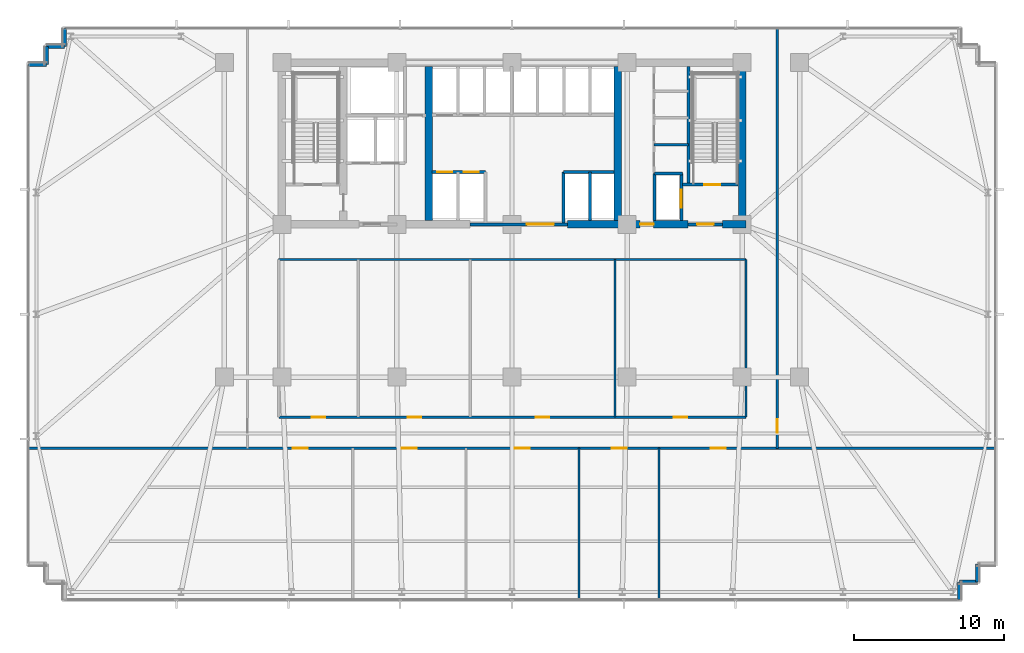
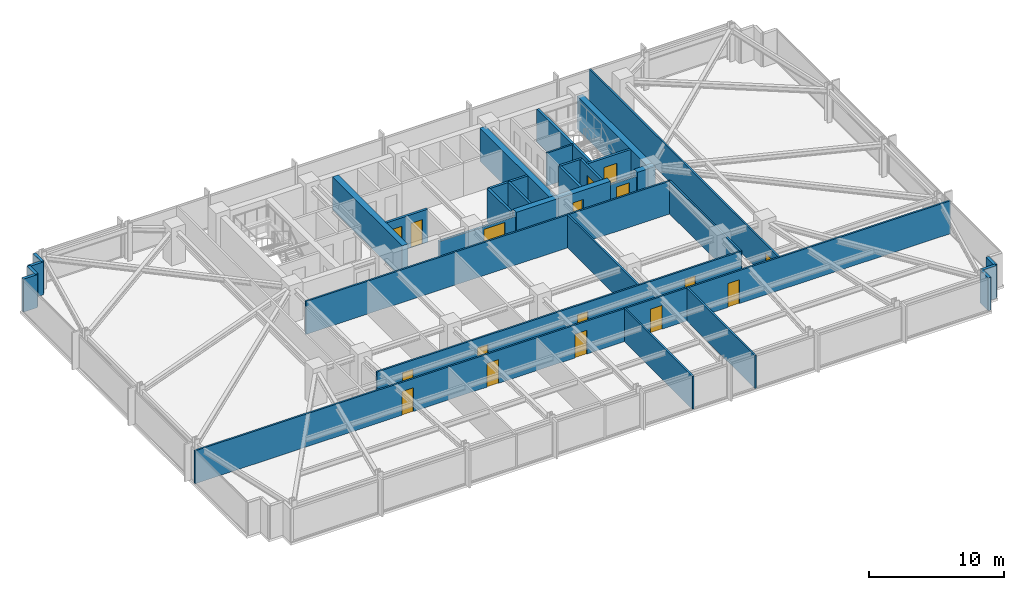
# One storey, part 25 of 32: 32 walls, 17 doors, 17 openings.
"""IFC4 building model written with IfcOpenShell, lengths in metres."""

from ifc_helpers import new_model, si_unit, direction, frame, frame_2d, origin, place, context, subcontext, project, spatial, rectangle, extrude, material, layer, layer_set, type_object, element, fill, save


model = new_model("IFC4")

# Units and contexts
model_context = context("Model", 3, precision=1e-05, world=origin(), true_north=direction((0.0, 1.0)))
body_context = subcontext(model_context, "Body", "Model", "MODEL_VIEW")
ifc_project = project(units=[si_unit("LENGTHUNIT", "METRE"), si_unit("AREAUNIT", "SQUARE_METRE"), si_unit("VOLUMEUNIT", "CUBIC_METRE"), si_unit("PLANEANGLEUNIT", "RADIAN"), si_unit("MASSUNIT", "GRAM", prefix="KILO")], contexts=[model_context])

# Site, building, storey
site_placement = place(None, origin())
site = spatial("IfcSite", under=ifc_project, at=site_placement, CompositionType="ELEMENT")
building_placement = place(site_placement, origin())
building = spatial("IfcBuilding", under=site, at=building_placement, Name="Yelkora Congress Tower", CompositionType="ELEMENT")
storey_placement = place(building_placement, frame((0.0, 0.0, 74.60009765625)))
storey = spatial("IfcBuildingStorey", under=building, at=storey_placement, Name="L19", CompositionType="ELEMENT", Elevation=74.60009765625)

# Wall
ifc_material_1 = material(Name="Concrete C50/60", Category="concrete")
ifc_layer_1 = layer(ifc_material_1, 0.219970703125)
ifc_layer_set_1 = layer_set([ifc_layer_1], Name="Concrete C50/60")
wall_type_1 = type_object("IfcWallType", Name="WALL-CORE-INT-220", PredefinedType="SHEAR", material=ifc_layer_set_1)
wall_1_placement = place(storey_placement, frame((50.179931640625, 38.050048828125, 0.0), z_axis=(0.0, 0.0, 1.0), x_axis=(0.0, 1.0, 0.0)))
element("IfcWall", 1, at=wall_1_placement, inside=storey, type_object=wall_type_1, Name="L19 ST02 West Stair Shear Wall", PredefinedType="SHEAR", context=body_context, shape_type="SweptSolid", body=[
    extrude(rectangle(XDim=7.89990234375, YDim=0.219970703125, at=frame_2d((3.949951171875, 0.0))), origin(), (0.0, 0.0, 1.0), 2.97998046875),
])

# Wall, opening, door
ifc_material_2 = material(Name="Concrete C60/75", Category="concrete")
ifc_layer_2 = layer(ifc_material_2, 0.5)
ifc_layer_set_2 = layer_set([ifc_layer_2], Name="Concrete C60/75")
wall_type_2 = type_object("IfcWallType", Name="WALL-CORE-INT-500", PredefinedType="SHEAR", material=ifc_layer_set_2)
wall_2_placement = place(storey_placement, frame((42.10009765625, 35.39990234375, 0.0), z_axis=(0.0, 0.0, 1.0), x_axis=(1.0, 0.0, 0.0)))
wall_2 = element("IfcWall", 2, at=wall_2_placement, inside=storey, type_object=wall_type_2, Name="L19 Rear Core South-East Shear Wall A", PredefinedType="SHEAR", context=body_context, shape_type="SweptSolid", body=[
    extrude(rectangle(XDim=8.0498046875, YDim=0.5, at=frame_2d((4.02490234375, 0.0))), origin(), (0.0, 0.0, 1.0), 2.97998046875),
])
opening_1_placement = place(wall_2_placement, frame((4.85009765625, 0.0, 0.0)))
opening_1 = element("IfcOpeningElement", 3, at=opening_1_placement, cuts=wall_2, Name="Opening DR-090F6", PredefinedType="OPENING", context=body_context, shape_type="SweptSolid", body=[
    extrude(rectangle(XDim=0.89990234375, YDim=2.14990234375, at=frame_2d((0.449951171875, 1.074951171875))), frame((0.0, 0.260009765625, 0.0), z_axis=(0.0, -1.0, 0.0), x_axis=(1.0, 0.0, 0.0)), (0.0, 0.0, 1.0), 0.52001953125),
])
ifc_material_3 = material(Name="Painted steel riser fire door leaf", Category="steel")
door_type_1 = type_object("IfcDoorType", Name="DOOR-FD60-900", OperationType="NOTDEFINED", PredefinedType="DOOR", material=ifc_material_3)
door_1_placement = place(opening_1_placement, origin())
door_1 = element("IfcDoor", 4, at=door_1_placement, inside=storey, type_object=door_type_1, Name="L19 Core Washroom Lobby Door", OperationType="SINGLE_SWING_RIGHT", OverallHeight=2.14990234375, OverallWidth=0.89990234375, PredefinedType="DOOR", context=body_context, shape_type="SweptSolid", body=[
    extrude(rectangle(XDim=0.89990234375, YDim=2.14990234375, at=frame_2d((0.449951171875, 1.074951171875))), frame((0.0, 0.02490234375, 0.0), z_axis=(0.0, -1.0, 0.0), x_axis=(1.0, 0.0, 0.0)), (0.0, 0.0, 1.0), 0.050048828125),
])
fill(opening_1, door_1)

# Walls
wall_3_placement = place(storey_placement, frame((52.449951171875, 35.39990234375, 0.0), z_axis=(0.0, 0.0, 1.0), x_axis=(1.0, 0.0, 0.0)))
element("IfcWall", 5, at=wall_3_placement, inside=storey, type_object=wall_type_2, Name="L19 Rear Core South-East Shear Wall B", PredefinedType="SHEAR", context=body_context, shape_type="SweptSolid", body=[
    extrude(rectangle(XDim=1.56005859375, YDim=0.5, at=frame_2d((0.780029296875, 0.0))), origin(), (0.0, 0.0, 1.0), 2.97998046875),
])
for number, where, z_axis, x_axis, name in (
    (6, (32.85009765625, 35.64990234375, 0.0), (0.0, 0.0, 1.0), (0.0, 1.0, 0.0), "L19 Rear Core Cross Shear Wall C2"),
    (7, (45.449951171875, 35.64990234375, 0.0), (0.0, 0.0, 1.0), (0.0, 1.0, 0.0), "L19 Rear Core Cross Shear Wall C3"),
    (8, (53.760009765625, 35.64990234375, 0.0), (0.0, 0.0, 1.0), (0.0, 1.0, 0.0), "L19 Rear Core Cross Shear Wall E"),
):
    element("IfcWall", number, at=place(storey_placement, frame(where, z_axis=z_axis, x_axis=x_axis)), inside=storey, type_object=wall_type_2, Name=name, PredefinedType="SHEAR", context=body_context, shape_type="SweptSolid", body=[
        extrude(rectangle(XDim=10.300048828125, YDim=0.5, at=frame_2d((5.14990234375, 0.0))), origin(), (0.0, 0.0, 1.0), 2.97998046875),
    ])
ifc_material_4 = material(Name="Concrete C40/50", Category="concrete")
ifc_layer_3 = layer(ifc_material_4, 0.239990234375)
ifc_layer_set_3 = layer_set([ifc_layer_3], Name="Concrete C40/50")
wall_type_3 = type_object("IfcWallType", Name="WALL-EXT-LIMESTONE-240", PredefinedType="SOLIDWALL", material=ifc_layer_set_3)
wall_4_placement = place(storey_placement, frame((6.139892578125, 46.06005859375, 0.0), z_axis=(0.0, 0.0, 1.0), x_axis=(1.0, 0.0, 0.0)))
element("IfcWall", 9, at=wall_4_placement, inside=storey, type_object=wall_type_3, Name="L19 Serrated Corner Limestone Pier 6", PredefinedType="SOLIDWALL", context=body_context, shape_type="SweptSolid", body=[
    extrude(rectangle(XDim=1.2001953125, YDim=0.239990234375, at=frame_2d((0.60009765625, 0.0))), origin(), (0.0, 0.0, 1.0), 2.97998046875),
])
for number, where, z_axis, x_axis, name in (
    (10, (7.340087890625, 46.06005859375, 0.0), (0.0, 0.0, 1.0), (0.0, 1.0, 0.0), "L19 Serrated Corner Limestone Pier 7"),
    (11, (7.340087890625, 47.260009765625, 0.0), (0.0, 0.0, 1.0), (1.0, 0.0, 0.0), "L19 Serrated Corner Limestone Pier 8"),
    (12, (8.5400390625, 47.260009765625, 0.0), (0.0, 0.0, 1.0), (0.0, 1.0, 0.0), "L19 Serrated Corner Limestone Pier 9"),
    (13, (69.4599609375, 12.739990234375, 0.0), (0.0, 0.0, 1.0), (0.0, -1.0, 0.0), "L19 Serrated Corner Limestone Pier 17"),
    (14, (69.4599609375, 11.5400390625, 0.0), (0.0, 0.0, 1.0), (-1.0, 0.0, 0.0), "L19 Serrated Corner Limestone Pier 18"),
    (15, (68.260009765625, 11.5400390625, 0.0), (0.0, 0.0, 1.0), (0.0, -1.0, 0.0), "L19 Serrated Corner Limestone Pier 19"),
):
    element("IfcWall", number, at=place(storey_placement, frame(where, z_axis=z_axis, x_axis=x_axis)), inside=storey, type_object=wall_type_3, Name=name, PredefinedType="SOLIDWALL", context=body_context, shape_type="SweptSolid", body=[
        extrude(rectangle(XDim=1.199951171875, YDim=0.239990234375, at=frame_2d((0.60009765625, 0.0))), origin(), (0.0, 0.0, 1.0), 2.97998046875),
    ])
ifc_material_5 = material(Name="Acoustic metal-stud gypsum partition", Category="gypsum")
ifc_layer_4 = layer(ifc_material_5, 0.14990234375)
ifc_layer_set_4 = layer_set([ifc_layer_4], Name="Acoustic metal-stud gypsum partition")
wall_type_4 = type_object("IfcWallType", Name="WALL-INT-150-NR", PredefinedType="PARTITIONING", material=ifc_layer_set_4)
wall_5_placement = place(storey_placement, frame((47.8798828125, 40.719970703125, 0.0), z_axis=(0.0, 0.0, 1.0), x_axis=(1.0, 0.0, 0.0)))
element("IfcWall", 16, at=wall_5_placement, inside=storey, type_object=wall_type_4, Name="L19 Partition Wall 28", PredefinedType="PARTITIONING", context=body_context, shape_type="SweptSolid", body=[
    extrude(rectangle(XDim=2.300048828125, YDim=0.14990234375, at=frame_2d((1.14990234375, 0.0))), origin(), (0.0, 0.0, 1.0), 2.97998046875),
])
for number, where, z_axis, x_axis, name in (
    (17, (42.8720703125, 10.280029296875, 0.0), (0.0, 0.0, 1.0), (0.0, 1.0, 0.0), "L19 Partition Wall 34"),
    (18, (48.218017578125, 10.280029296875, 0.0), (0.0, 0.0, 1.0), (0.0, 1.0, 0.0), "L19 Partition Wall 35"),
):
    element("IfcWall", number, at=place(storey_placement, frame(where, z_axis=z_axis, x_axis=x_axis)), inside=storey, type_object=wall_type_4, Name=name, PredefinedType="PARTITIONING", context=body_context, shape_type="SweptSolid", body=[
        extrude(rectangle(XDim=10.18994140625, YDim=0.14990234375, at=frame_2d((5.094970703125, 0.0))), origin(), (0.0, 0.0, 1.0), 2.97998046875),
    ])

# Wall, openings, doors
wall_6_placement = place(storey_placement, frame((6.080078125, 20.449951171875, 0.0), z_axis=(0.0, 0.0, 1.0), x_axis=(1.0, 0.0, 0.0)))
wall_6 = element("IfcWall", 19, at=wall_6_placement, inside=storey, type_object=wall_type_4, Name="L19 South Spine Wall", PredefinedType="PARTITIONING", context=body_context, shape_type="SweptSolid", body=[
    extrude(rectangle(XDim=64.639892578125, YDim=0.14990234375, at=frame_2d((32.31982421875, 0.0))), origin(), (0.0, 0.0, 1.0), 2.97998046875),
])
opening_2_placement = place(wall_6_placement, frame((17.68310546875, 0.0, 0.0)))
opening_2 = element("IfcOpeningElement", 20, at=opening_2_placement, cuts=wall_6, Name="Opening DR-100N", PredefinedType="OPENING", context=body_context, shape_type="SweptSolid", body=[
    extrude(rectangle(XDim=1.0, YDim=2.14990234375, at=frame_2d((0.5, 1.074951171875))), frame((0.0, 0.0849609375, 0.0), z_axis=(0.0, -1.0, 0.0), x_axis=(1.0, 0.0, 0.0)), (0.0, 0.0, 1.0), 0.169921875),
])
opening_3_placement = place(wall_6_placement, frame((24.969970703125, 0.0, 0.0)))
opening_3 = element("IfcOpeningElement", 21, at=opening_3_placement, cuts=wall_6, Name="Opening DR-100N", PredefinedType="OPENING", context=body_context, shape_type="SweptSolid", body=[
    extrude(rectangle(XDim=1.0, YDim=2.14990234375, at=frame_2d((0.5, 1.074951171875))), frame((0.0, 0.0849609375, 0.0), z_axis=(0.0, -1.0, 0.0), x_axis=(1.0, 0.0, 0.0)), (0.0, 0.0, 1.0), 0.169921875),
])
opening_4_placement = place(wall_6_placement, frame((32.51806640625, 0.0, 0.0)))
opening_4 = element("IfcOpeningElement", 22, at=opening_4_placement, cuts=wall_6, Name="Opening DR-100N", PredefinedType="OPENING", context=body_context, shape_type="SweptSolid", body=[
    extrude(rectangle(XDim=1.0, YDim=2.14990234375, at=frame_2d((0.5, 1.074951171875))), frame((0.0, 0.0849609375, 0.0), z_axis=(0.0, -1.0, 0.0), x_axis=(1.0, 0.0, 0.0)), (0.0, 0.0, 1.0), 0.169921875),
])
opening_5_placement = place(wall_6_placement, frame((38.965087890625, 0.0, 0.0)))
opening_5 = element("IfcOpeningElement", 23, at=opening_5_placement, cuts=wall_6, Name="Opening DR-100N", PredefinedType="OPENING", context=body_context, shape_type="SweptSolid", body=[
    extrude(rectangle(XDim=1.0, YDim=2.14990234375, at=frame_2d((0.5, 1.074951171875))), frame((0.0, 0.0849609375, 0.0), z_axis=(0.0, -1.0, 0.0), x_axis=(1.0, 0.0, 0.0)), (0.0, 0.0, 1.0), 0.169921875),
])
opening_6_placement = place(wall_6_placement, frame((45.5791015625, 0.0, 0.0)))
opening_6 = element("IfcOpeningElement", 24, at=opening_6_placement, cuts=wall_6, Name="Opening DR-100N", PredefinedType="OPENING", context=body_context, shape_type="SweptSolid", body=[
    extrude(rectangle(XDim=1.0, YDim=2.14990234375, at=frame_2d((0.5, 1.074951171875))), frame((0.0, 0.0849609375, 0.0), z_axis=(0.0, -1.0, 0.0), x_axis=(1.0, 0.0, 0.0)), (0.0, 0.0, 1.0), 0.169921875),
])
ifc_material_6 = material(Name="Solid-core Anatolian oak veneer door", Category="wood")
door_type_2 = type_object("IfcDoorType", Name="DOOR-INT-1000", OperationType="NOTDEFINED", PredefinedType="DOOR", material=ifc_material_6)
door_2_placement = place(opening_2_placement, origin())
door_2 = element("IfcDoor", 25, at=door_2_placement, inside=storey, type_object=door_type_2, Name="L19 Hospitality Kitchen Door", OperationType="SINGLE_SWING_RIGHT", OverallHeight=2.14990234375, OverallWidth=1.0, PredefinedType="DOOR", context=body_context, shape_type="SweptSolid", body=[
    extrude(rectangle(XDim=1.0, YDim=2.14990234375, at=frame_2d((0.5, 1.074951171875))), frame((0.0, 0.02490234375, 0.0), z_axis=(0.0, -1.0, 0.0), x_axis=(1.0, 0.0, 0.0)), (0.0, 0.0, 1.0), 0.050048828125),
])
fill(opening_2, door_2)
door_3_placement = place(opening_3_placement, origin())
door_3 = element("IfcDoor", 26, at=door_3_placement, inside=storey, type_object=door_type_2, Name="L19 Executive Office Door", OperationType="SINGLE_SWING_LEFT", OverallHeight=2.14990234375, OverallWidth=1.0, PredefinedType="DOOR", context=body_context, shape_type="SweptSolid", body=[
    extrude(rectangle(XDim=1.0, YDim=2.14990234375, at=frame_2d((0.5, 1.074951171875))), frame((0.0, 0.02490234375, 0.0), z_axis=(0.0, -1.0, 0.0), x_axis=(1.0, 0.0, 0.0)), (0.0, 0.0, 1.0), 0.050048828125),
])
fill(opening_3, door_3)
door_4_placement = place(opening_4_placement, origin())
door_4 = element("IfcDoor", 27, at=door_4_placement, inside=storey, type_object=door_type_2, Name="L19 Wellness Room Door", OperationType="SINGLE_SWING_RIGHT", OverallHeight=2.14990234375, OverallWidth=1.0, PredefinedType="DOOR", context=body_context, shape_type="SweptSolid", body=[
    extrude(rectangle(XDim=1.0, YDim=2.14990234375, at=frame_2d((0.5, 1.074951171875))), frame((0.0, 0.02490234375, 0.0), z_axis=(0.0, -1.0, 0.0), x_axis=(1.0, 0.0, 0.0)), (0.0, 0.0, 1.0), 0.050048828125),
])
fill(opening_4, door_4)
door_5_placement = place(opening_5_placement, origin())
door_5 = element("IfcDoor", 28, at=door_5_placement, inside=storey, type_object=door_type_2, Name="L19 Store Equipment Door", OperationType="SINGLE_SWING_LEFT", OverallHeight=2.14990234375, OverallWidth=1.0, PredefinedType="DOOR", context=body_context, shape_type="SweptSolid", body=[
    extrude(rectangle(XDim=1.0, YDim=2.14990234375, at=frame_2d((0.5, 1.074951171875))), frame((0.0, 0.02490234375, 0.0), z_axis=(0.0, -1.0, 0.0), x_axis=(1.0, 0.0, 0.0)), (0.0, 0.0, 1.0), 0.050048828125),
])
fill(opening_5, door_5)
door_6_placement = place(opening_6_placement, origin())
door_6 = element("IfcDoor", 29, at=door_6_placement, inside=storey, type_object=door_type_2, Name="L19 Design Studio Office Door", OperationType="SINGLE_SWING_RIGHT", OverallHeight=2.14990234375, OverallWidth=1.0, PredefinedType="DOOR", context=body_context, shape_type="SweptSolid", body=[
    extrude(rectangle(XDim=1.0, YDim=2.14990234375, at=frame_2d((0.5, 1.074951171875))), frame((0.0, 0.02490234375, 0.0), z_axis=(0.0, -1.0, 0.0), x_axis=(1.0, 0.0, 0.0)), (0.0, 0.0, 1.0), 0.050048828125),
])
fill(opening_6, door_6)

# Wall, opening, door
wall_7_placement = place(storey_placement, frame((56.10009765625, 20.449951171875, 0.0), z_axis=(0.0, 0.0, 1.0), x_axis=(0.0, 1.0, 0.0)))
wall_7 = element("IfcWall", 30, at=wall_7_placement, inside=storey, type_object=wall_type_4, Name="L19 Partition Wall 38", PredefinedType="PARTITIONING", context=body_context, shape_type="SweptSolid", body=[
    extrude(rectangle(XDim=28.070068359375, YDim=0.14990234375, at=frame_2d((14.03515625, 0.0))), origin(), (0.0, 0.0, 1.0), 2.97998046875),
])
opening_7_placement = place(wall_7_placement, frame((1.030029296875, 0.0, 0.0)))
opening_7 = element("IfcOpeningElement", 31, at=opening_7_placement, cuts=wall_7, Name="Opening DR-090N", PredefinedType="OPENING", context=body_context, shape_type="SweptSolid", body=[
    extrude(rectangle(XDim=0.89990234375, YDim=2.14990234375, at=frame_2d((0.449951171875, 1.074951171875))), frame((0.0, 0.0849609375, 0.0), z_axis=(0.0, -1.0, 0.0), x_axis=(1.0, 0.0, 0.0)), (0.0, 0.0, 1.0), 0.169921875),
])
ifc_material_7 = material(Name="Moisture-resistant laminate door leaf", Category="wood")
door_type_3 = type_object("IfcDoorType", Name="DOOR-INT-900", OperationType="NOTDEFINED", PredefinedType="DOOR", material=ifc_material_7)
door_7_placement = place(opening_7_placement, origin())
door_7 = element("IfcDoor", 32, at=door_7_placement, inside=storey, type_object=door_type_3, Name="L19 E Wing Door", OperationType="SINGLE_SWING_RIGHT", OverallHeight=2.14990234375, OverallWidth=0.89990234375, PredefinedType="DOOR", context=body_context, shape_type="SweptSolid", body=[
    extrude(rectangle(XDim=0.89990234375, YDim=2.14990234375, at=frame_2d((0.449951171875, 1.074951171875))), frame((0.0, 0.02490234375, 0.0), z_axis=(0.0, -1.0, 0.0), x_axis=(1.0, 0.0, 0.0)), (0.0, 0.0, 1.0), 0.050048828125),
])
fill(opening_7, door_7)

# Walls
wall_8_placement = place(storey_placement, frame((54.02001953125, 22.530029296875, 0.0), z_axis=(0.0, 0.0, 1.0), x_axis=(0.0, 1.0, 0.0)))
element("IfcWall", 33, at=wall_8_placement, inside=storey, type_object=wall_type_4, Name="L19 Partition Wall 40", PredefinedType="PARTITIONING", context=body_context, shape_type="SweptSolid", body=[
    extrude(rectangle(XDim=10.52001953125, YDim=0.14990234375, at=frame_2d((5.260009765625, 0.0))), origin(), (0.0, 0.0, 1.0), 2.97998046875),
])
wall_9_placement = place(storey_placement, frame((22.830078125, 33.050048828125, 0.0), z_axis=(0.0, 0.0, 1.0), x_axis=(1.0, 0.0, 0.0)))
element("IfcWall", 34, at=wall_9_placement, inside=storey, type_object=wall_type_4, Name="L19 Partition Wall 41", PredefinedType="PARTITIONING", context=body_context, shape_type="SweptSolid", body=[
    extrude(rectangle(XDim=31.18994140625, YDim=0.14990234375, at=frame_2d((15.594970703125, 0.0))), origin(), (0.0, 0.0, 1.0), 2.97998046875),
])
wall_10_placement = place(storey_placement, frame((45.281982421875, 22.530029296875, 0.0), z_axis=(0.0, 0.0, 1.0), x_axis=(0.0, 1.0, 0.0)))
element("IfcWall", 35, at=wall_10_placement, inside=storey, type_object=wall_type_4, Name="L19 Partition Wall 44", PredefinedType="PARTITIONING", context=body_context, shape_type="SweptSolid", body=[
    extrude(rectangle(XDim=10.52001953125, YDim=0.14990234375, at=frame_2d((5.260009765625, 0.0))), origin(), (0.0, 0.0, 1.0), 2.97998046875),
])

# Wall, openings, doors
wall_11_placement = place(storey_placement, frame((22.840087890625, 22.530029296875, 0.0), z_axis=(0.0, 0.0, 1.0), x_axis=(1.0, 0.0, 0.0)))
wall_11 = element("IfcWall", 36, at=wall_11_placement, inside=storey, type_object=wall_type_4, Name="L19 Partition Wall 45", PredefinedType="PARTITIONING", context=body_context, shape_type="SweptSolid", body=[
    extrude(rectangle(XDim=31.169921875, YDim=0.14990234375, at=frame_2d((15.5849609375, 0.0))), origin(), (0.0, 0.0, 1.0), 2.97998046875),
])
opening_8_placement = place(wall_11_placement, frame((2.199462890625, 0.0, 0.0)))
opening_8 = element("IfcOpeningElement", 37, at=opening_8_placement, cuts=wall_11, Name="Opening DR-090N", PredefinedType="OPENING", context=body_context, shape_type="SweptSolid", body=[
    extrude(rectangle(XDim=0.89990234375, YDim=2.14990234375, at=frame_2d((0.449951171875, 1.074951171875))), frame((0.0, 0.0849609375, 0.0), z_axis=(0.0, -1.0, 0.0), x_axis=(1.0, 0.0, 0.0)), (0.0, 0.0, 1.0), 0.169921875),
])
opening_9_placement = place(wall_11_placement, frame((8.589599609375, 0.0, 0.0)))
opening_9 = element("IfcOpeningElement", 38, at=opening_9_placement, cuts=wall_11, Name="Opening DR-090N", PredefinedType="OPENING", context=body_context, shape_type="SweptSolid", body=[
    extrude(rectangle(XDim=0.89990234375, YDim=2.14990234375, at=frame_2d((0.449951171875, 1.074951171875))), frame((0.0, 0.0849609375, 0.0), z_axis=(0.0, -1.0, 0.0), x_axis=(1.0, 0.0, 0.0)), (0.0, 0.0, 1.0), 0.169921875),
])
opening_10_placement = place(wall_11_placement, frame((17.160888671875, 0.0, 0.0)))
opening_10 = element("IfcOpeningElement", 39, at=opening_10_placement, cuts=wall_11, Name="Opening DR-090N", PredefinedType="OPENING", context=body_context, shape_type="SweptSolid", body=[
    extrude(rectangle(XDim=0.89990234375, YDim=2.14990234375, at=frame_2d((0.449951171875, 1.074951171875))), frame((0.0, 0.0849609375, 0.0), z_axis=(0.0, -1.0, 0.0), x_axis=(1.0, 0.0, 0.0)), (0.0, 0.0, 1.0), 0.169921875),
])
opening_11_placement = place(wall_11_placement, frame((26.35595703125, 0.0, 0.0)))
opening_11 = element("IfcOpeningElement", 40, at=opening_11_placement, cuts=wall_11, Name="Opening DR-090N", PredefinedType="OPENING", context=body_context, shape_type="SweptSolid", body=[
    extrude(rectangle(XDim=0.89990234375, YDim=2.14990234375, at=frame_2d((0.449951171875, 1.074951171875))), frame((0.0, 0.0849609375, 0.0), z_axis=(0.0, -1.0, 0.0), x_axis=(1.0, 0.0, 0.0)), (0.0, 0.0, 1.0), 0.169921875),
])
door_8_placement = place(opening_8_placement, origin())
door_8 = element("IfcDoor", 41, at=door_8_placement, inside=storey, type_object=door_type_3, Name="L19 Seminar Briefing Room Door", OperationType="SINGLE_SWING_LEFT", OverallHeight=2.14990234375, OverallWidth=0.89990234375, PredefinedType="DOOR", context=body_context, shape_type="SweptSolid", body=[
    extrude(rectangle(XDim=0.89990234375, YDim=2.14990234375, at=frame_2d((0.449951171875, 1.074951171875))), frame((0.0, 0.02490234375, 0.0), z_axis=(0.0, -1.0, 0.0), x_axis=(1.0, 0.0, 0.0)), (0.0, 0.0, 1.0), 0.050048828125),
])
fill(opening_8, door_8)
door_9_placement = place(opening_9_placement, origin())
door_9 = element("IfcDoor", 42, at=door_9_placement, inside=storey, type_object=door_type_3, Name="L19 Executive Study Office Door", OperationType="SINGLE_SWING_RIGHT", OverallHeight=2.14990234375, OverallWidth=0.89990234375, PredefinedType="DOOR", context=body_context, shape_type="SweptSolid", body=[
    extrude(rectangle(XDim=0.89990234375, YDim=2.14990234375, at=frame_2d((0.449951171875, 1.074951171875))), frame((0.0, 0.02490234375, 0.0), z_axis=(0.0, -1.0, 0.0), x_axis=(1.0, 0.0, 0.0)), (0.0, 0.0, 1.0), 0.050048828125),
])
fill(opening_9, door_9)
door_10_placement = place(opening_10_placement, origin())
door_10 = element("IfcDoor", 43, at=door_10_placement, inside=storey, type_object=door_type_3, Name="L19 Delegate Reading Lounge Door", OperationType="SINGLE_SWING_LEFT", OverallHeight=2.14990234375, OverallWidth=0.89990234375, PredefinedType="DOOR", context=body_context, shape_type="SweptSolid", body=[
    extrude(rectangle(XDim=0.89990234375, YDim=2.14990234375, at=frame_2d((0.449951171875, 1.074951171875))), frame((0.0, 0.02490234375, 0.0), z_axis=(0.0, -1.0, 0.0), x_axis=(1.0, 0.0, 0.0)), (0.0, 0.0, 1.0), 0.050048828125),
])
fill(opening_10, door_10)
door_11_placement = place(opening_11_placement, origin())
door_11 = element("IfcDoor", 44, at=door_11_placement, inside=storey, type_object=door_type_3, Name="L19 Seminar Briefing Room Door", OperationType="SINGLE_SWING_RIGHT", OverallHeight=2.14990234375, OverallWidth=0.89990234375, PredefinedType="DOOR", context=body_context, shape_type="SweptSolid", body=[
    extrude(rectangle(XDim=0.89990234375, YDim=2.14990234375, at=frame_2d((0.449951171875, 1.074951171875))), frame((0.0, 0.02490234375, 0.0), z_axis=(0.0, -1.0, 0.0), x_axis=(1.0, 0.0, 0.0)), (0.0, 0.0, 1.0), 0.050048828125),
])
fill(opening_11, door_11)

# Wall, opening, door
ifc_material_8 = material(Name="Autoclaved aerated concrete blockwork", Category="masonry")
ifc_layer_5 = layer(ifc_material_8, 0.199951171875)
ifc_layer_set_5 = layer_set([ifc_layer_5], Name="Autoclaved aerated concrete blockwork")
wall_type_5 = type_object("IfcWallType", Name="WALL-INT-200-R120", PredefinedType="PARTITIONING", material=ifc_layer_set_5)
wall_12_placement = place(storey_placement, frame((35.60009765625, 35.39990234375, 0.0), z_axis=(0.0, 0.0, 1.0), x_axis=(1.0, 0.0, 0.0)))
wall_12 = element("IfcWall", 45, at=wall_12_placement, inside=storey, type_object=wall_type_5, Name="L19 Main Lift Lobby South Portal Wall", PredefinedType="PARTITIONING", context=body_context, shape_type="SweptSolid", body=[
    extrude(rectangle(XDim=6.5, YDim=0.199951171875, at=frame_2d((3.25, 0.0))), origin(), (0.0, 0.0, 1.0), 2.52490234375),
])
opening_12_placement = place(wall_12_placement, frame((3.800048828125, 0.0, 0.0)))
opening_12 = element("IfcOpeningElement", 46, at=opening_12_placement, cuts=wall_12, Name="Opening DR-180D", PredefinedType="OPENING", context=body_context, shape_type="SweptSolid", body=[
    extrude(rectangle(XDim=1.800048828125, YDim=2.300048828125, at=frame_2d((0.89990234375, 1.14990234375))), frame((0.0, 0.10986328125, 0.0), z_axis=(0.0, -1.0, 0.0), x_axis=(1.0, 0.0, 0.0)), (0.0, 0.0, 1.0), 0.219970703125),
])
ifc_material_9 = material(Name="Acoustic double congress hall doors", Category="wood")
door_type_4 = type_object("IfcDoorType", Name="DOOR-DBL-1800", OperationType="DOUBLE_DOOR_SINGLE_SWING", PredefinedType="DOOR", material=ifc_material_9)
door_12_placement = place(opening_12_placement, origin())
door_12 = element("IfcDoor", 47, at=door_12_placement, inside=storey, type_object=door_type_4, Name="L19 Main Lift Lobby Portal Door", OperationType="DOUBLE_DOOR_SINGLE_SWING", OverallHeight=2.300048828125, OverallWidth=1.800048828125, PredefinedType="DOOR", context=body_context, shape_type="SweptSolid", body=[
    extrude(rectangle(XDim=1.800048828125, YDim=2.300048828125, at=frame_2d((0.89990234375, 1.14990234375))), frame((0.0, 0.02490234375, 0.0), z_axis=(0.0, -1.0, 0.0), x_axis=(1.0, 0.0, 0.0)), (0.0, 0.0, 1.0), 0.050048828125),
])
fill(opening_12, door_12)

# Wall, openings, doors
wall_13_placement = place(storey_placement, frame((33.050048828125, 38.89990234375, 0.0), z_axis=(0.0, 0.0, 1.0), x_axis=(1.0, 0.0, 0.0)))
wall_13 = element("IfcWall", 48, at=wall_13_placement, inside=storey, type_object=wall_type_5, Name="L19 Partition Wall 11", PredefinedType="PARTITIONING", context=body_context, shape_type="SweptSolid", body=[
    extrude(rectangle(XDim=3.570068359375, YDim=0.199951171875, at=frame_2d((1.78515625, 0.0))), origin(), (0.0, 0.0, 1.0), 2.97998046875),
])
opening_13_placement = place(wall_13_placement, frame((0.375, 0.0, 0.0)))
opening_13 = element("IfcOpeningElement", 49, at=opening_13_placement, cuts=wall_13, Name="Opening LD-PS10", PredefinedType="OPENING", context=body_context, shape_type="SweptSolid", body=[
    extrude(rectangle(XDim=1.0, YDim=2.199951171875, at=frame_2d((0.5, 1.10009765625))), frame((0.0, 0.10986328125, 0.0), z_axis=(0.0, -1.0, 0.0), x_axis=(1.0, 0.0, 0.0)), (0.0, 0.0, 1.0), 0.219970703125),
])
opening_14_placement = place(wall_13_placement, frame((2.125, 0.0, 0.0)))
opening_14 = element("IfcOpeningElement", 50, at=opening_14_placement, cuts=wall_13, Name="Opening LD-PS10", PredefinedType="OPENING", context=body_context, shape_type="SweptSolid", body=[
    extrude(rectangle(XDim=1.0, YDim=2.199951171875, at=frame_2d((0.5, 1.10009765625))), frame((0.0, 0.10986328125, 0.0), z_axis=(0.0, -1.0, 0.0), x_axis=(1.0, 0.0, 0.0)), (0.0, 0.0, 1.0), 0.219970703125),
])
ifc_material_10 = material(Name="Champagne stainless steel landing door", Category="steel")
door_type_5 = type_object("IfcDoorType", Name="DOOR-LIFT-PAS-1000", OperationType="DOUBLE_DOOR_SLIDING", PredefinedType="DOOR", material=ifc_material_10)
door_13_placement = place(opening_13_placement, origin())
door_13 = element("IfcDoor", 51, at=door_13_placement, inside=storey, type_object=door_type_5, Name="Lift Landing Door LF-P1 L19", OperationType="DOUBLE_DOOR_SLIDING", OverallHeight=2.199951171875, OverallWidth=1.0, PredefinedType="DOOR", context=body_context, shape_type="SweptSolid", body=[
    extrude(rectangle(XDim=1.0, YDim=2.199951171875, at=frame_2d((0.5, 1.10009765625))), frame((0.0, 0.02490234375, 0.0), z_axis=(0.0, -1.0, 0.0), x_axis=(1.0, 0.0, 0.0)), (0.0, 0.0, 1.0), 0.050048828125),
])
fill(opening_13, door_13)
door_14_placement = place(opening_14_placement, origin())
door_14 = element("IfcDoor", 52, at=door_14_placement, inside=storey, type_object=door_type_5, Name="Lift Landing Door LF-P2 L19", OperationType="DOUBLE_DOOR_SLIDING", OverallHeight=2.199951171875, OverallWidth=1.0, PredefinedType="DOOR", context=body_context, shape_type="SweptSolid", body=[
    extrude(rectangle(XDim=1.0, YDim=2.199951171875, at=frame_2d((0.5, 1.10009765625))), frame((0.0, 0.02490234375, 0.0), z_axis=(0.0, -1.0, 0.0), x_axis=(1.0, 0.0, 0.0)), (0.0, 0.0, 1.0), 0.050048828125),
])
fill(opening_14, door_14)

# Walls
wall_14_placement = place(storey_placement, frame((41.85009765625, 38.89990234375, 0.0), z_axis=(0.0, 0.0, 1.0), x_axis=(1.0, 0.0, 0.0)))
element("IfcWall", 53, at=wall_14_placement, inside=storey, type_object=wall_type_5, Name="L19 Partition Wall 17", PredefinedType="PARTITIONING", context=body_context, shape_type="SweptSolid", body=[
    extrude(rectangle(XDim=3.369873046875, YDim=0.199951171875, at=frame_2d((1.68505859375, 0.0))), origin(), (0.0, 0.0, 1.0), 2.97998046875),
])
wall_15_placement = place(storey_placement, frame((43.60009765625, 35.64990234375, 0.0), z_axis=(0.0, 0.0, 1.0), x_axis=(0.0, 1.0, 0.0)))
element("IfcWall", 54, at=wall_15_placement, inside=storey, type_object=wall_type_5, Name="L19 Partition Wall 19", PredefinedType="PARTITIONING", context=body_context, shape_type="SweptSolid", body=[
    extrude(rectangle(XDim=3.25, YDim=0.199951171875, at=frame_2d((1.625, 0.0))), origin(), (0.0, 0.0, 1.0), 2.97998046875),
])
wall_16_placement = place(storey_placement, frame((41.85009765625, 35.5, 0.0), z_axis=(0.0, 0.0, 1.0), x_axis=(0.0, 1.0, 0.0)))
element("IfcWall", 55, at=wall_16_placement, inside=storey, type_object=wall_type_5, Name="L19 Partition Wall 21", PredefinedType="PARTITIONING", context=body_context, shape_type="SweptSolid", body=[
    extrude(rectangle(XDim=3.39990234375, YDim=0.199951171875, at=frame_2d((1.699951171875, 0.0))), origin(), (0.0, 0.0, 1.0), 2.97998046875),
])

# Wall, opening, door
wall_17_placement = place(storey_placement, frame((49.780029296875, 38.050048828125, 0.0), z_axis=(0.0, 0.0, 1.0), x_axis=(1.0, 0.0, 0.0)))
wall_17 = element("IfcWall", 56, at=wall_17_placement, inside=storey, type_object=wall_type_5, Name="L19 Stair ST-02 Enclosure Wall", PredefinedType="PARTITIONING", context=body_context, shape_type="SweptSolid", body=[
    extrude(rectangle(XDim=3.719970703125, YDim=0.199951171875, at=frame_2d((1.85986328125, 0.0))), origin(), (0.0, 0.0, 1.0), 2.97998046875),
])
opening_15_placement = place(wall_17_placement, frame((1.436279296875, 0.0, 0.0)))
opening_15 = element("IfcOpeningElement", 57, at=opening_15_placement, cuts=wall_17, Name="Opening DR-110F9", PredefinedType="OPENING", context=body_context, shape_type="SweptSolid", body=[
    extrude(rectangle(XDim=1.10009765625, YDim=2.14990234375, at=frame_2d((0.550048828125, 1.074951171875))), frame((0.0, 0.10986328125, 0.0), z_axis=(0.0, -1.0, 0.0), x_axis=(1.0, 0.0, 0.0)), (0.0, 0.0, 1.0), 0.219970703125),
])
ifc_material_11 = material(Name="Galvanised steel fire door leaf", Category="steel")
door_type_6 = type_object("IfcDoorType", Name="DOOR-FD90-1100", OperationType="NOTDEFINED", PredefinedType="DOOR", material=ifc_material_11)
door_15_placement = place(opening_15_placement, origin())
door_15 = element("IfcDoor", 58, at=door_15_placement, inside=storey, type_object=door_type_6, Name="L19 Stair ST-02 Entry Door", OperationType="SINGLE_SWING_LEFT", OverallHeight=2.14990234375, OverallWidth=1.10009765625, PredefinedType="DOOR", context=body_context, shape_type="SweptSolid", body=[
    extrude(rectangle(XDim=1.10009765625, YDim=2.14990234375, at=frame_2d((0.550048828125, 1.074951171875))), frame((0.0, 0.02490234375, 0.0), z_axis=(0.0, -1.0, 0.0), x_axis=(1.0, 0.0, 0.0)), (0.0, 0.0, 1.0), 0.050048828125),
])
fill(opening_15, door_15)

wall_18_placement = place(storey_placement, frame((50.14990234375, 35.39990234375, 0.0), z_axis=(0.0, 0.0, 1.0), x_axis=(1.0, 0.0, 0.0)))
wall_18 = element("IfcWall", 59, at=wall_18_placement, inside=storey, type_object=wall_type_5, Name="L19 Partition Wall 24", PredefinedType="PARTITIONING", context=body_context, shape_type="SweptSolid", body=[
    extrude(rectangle(XDim=2.300048828125, YDim=0.199951171875, at=frame_2d((1.14990234375, 0.0))), origin(), (0.0, 0.0, 1.0), 2.52490234375),
])
opening_16_placement = place(wall_18_placement, frame((0.60009765625, 0.0, 0.0)))
opening_16 = element("IfcOpeningElement", 60, at=opening_16_placement, cuts=wall_18, Name="Opening DR-110F9", PredefinedType="OPENING", context=body_context, shape_type="SweptSolid", body=[
    extrude(rectangle(XDim=1.10009765625, YDim=2.14990234375, at=frame_2d((0.550048828125, 1.074951171875))), frame((0.0, 0.10986328125, 0.0), z_axis=(0.0, -1.0, 0.0), x_axis=(1.0, 0.0, 0.0)), (0.0, 0.0, 1.0), 0.219970703125),
])
door_16_placement = place(opening_16_placement, origin())
door_16 = element("IfcDoor", 61, at=door_16_placement, inside=storey, type_object=door_type_6, Name="L19 East Stair Lobby Door", OperationType="SINGLE_SWING_RIGHT", OverallHeight=2.14990234375, OverallWidth=1.10009765625, PredefinedType="DOOR", context=body_context, shape_type="SweptSolid", body=[
    extrude(rectangle(XDim=1.10009765625, YDim=2.14990234375, at=frame_2d((0.550048828125, 1.074951171875))), frame((0.0, 0.02490234375, 0.0), z_axis=(0.0, -1.0, 0.0), x_axis=(1.0, 0.0, 0.0)), (0.0, 0.0, 1.0), 0.050048828125),
])
fill(opening_16, door_16)

wall_19_placement = place(storey_placement, frame((49.699951171875, 35.64990234375, 0.0), z_axis=(0.0, 0.0, 1.0), x_axis=(0.0, 1.0, 0.0)))
wall_19 = element("IfcWall", 62, at=wall_19_placement, inside=storey, type_object=wall_type_5, Name="L19 Partition Wall 25", PredefinedType="PARTITIONING", context=body_context, shape_type="SweptSolid", body=[
    extrude(rectangle(XDim=3.150146484375, YDim=0.199951171875, at=frame_2d((1.5751953125, 0.0))), origin(), (0.0, 0.0, 1.0), 2.97998046875),
])
opening_17_placement = place(wall_19_placement, frame((0.85009765625, 0.0, 0.0)))
opening_17 = element("IfcOpeningElement", 63, at=opening_17_placement, cuts=wall_19, Name="Opening LD-SV12", PredefinedType="OPENING", context=body_context, shape_type="SweptSolid", body=[
    extrude(rectangle(XDim=1.199951171875, YDim=2.199951171875, at=frame_2d((0.60009765625, 1.10009765625))), frame((0.0, 0.10986328125, 0.0), z_axis=(0.0, -1.0, 0.0), x_axis=(1.0, 0.0, 0.0)), (0.0, 0.0, 1.0), 0.219970703125),
])
ifc_material_12 = material(Name="Heavy-duty stainless steel landing door", Category="steel")
door_type_7 = type_object("IfcDoorType", Name="DOOR-LIFT-SRV-1200", OperationType="DOUBLE_DOOR_SLIDING", PredefinedType="DOOR", material=ifc_material_12)
door_17_placement = place(opening_17_placement, origin())
door_17 = element("IfcDoor", 64, at=door_17_placement, inside=storey, type_object=door_type_7, Name="Service Lift Landing Door LF-SV1 L19", OperationType="DOUBLE_DOOR_SLIDING", OverallHeight=2.199951171875, OverallWidth=1.199951171875, PredefinedType="DOOR", context=body_context, shape_type="SweptSolid", body=[
    extrude(rectangle(XDim=1.199951171875, YDim=2.199951171875, at=frame_2d((0.60009765625, 1.10009765625))), frame((0.0, 0.02490234375, 0.0), z_axis=(0.0, -1.0, 0.0), x_axis=(1.0, 0.0, 0.0)), (0.0, 0.0, 1.0), 0.050048828125),
])
fill(opening_17, door_17)

# Walls
wall_20_placement = place(storey_placement, frame((47.919921875, 35.64990234375, 0.0), z_axis=(0.0, 0.0, 1.0), x_axis=(0.0, 1.0, 0.0)))
element("IfcWall", 65, at=wall_20_placement, inside=storey, type_object=wall_type_5, Name="L19 Partition Wall 26", PredefinedType="PARTITIONING", context=body_context, shape_type="SweptSolid", body=[
    extrude(rectangle(XDim=3.150146484375, YDim=0.199951171875, at=frame_2d((1.5751953125, 0.0))), origin(), (0.0, 0.0, 1.0), 2.97998046875),
])
wall_21_placement = place(storey_placement, frame((47.919921875, 38.800048828125, 0.0), z_axis=(0.0, 0.0, 1.0), x_axis=(1.0, 0.0, 0.0)))
element("IfcWall", 66, at=wall_21_placement, inside=storey, type_object=wall_type_5, Name="L19 Partition Wall 27", PredefinedType="PARTITIONING", context=body_context, shape_type="SweptSolid", body=[
    extrude(rectangle(XDim=1.860107421875, YDim=0.199951171875, at=frame_2d((0.93017578125, 0.0))), origin(), (0.0, 0.0, 1.0), 2.97998046875),
])

save(model, "model.ifc")
